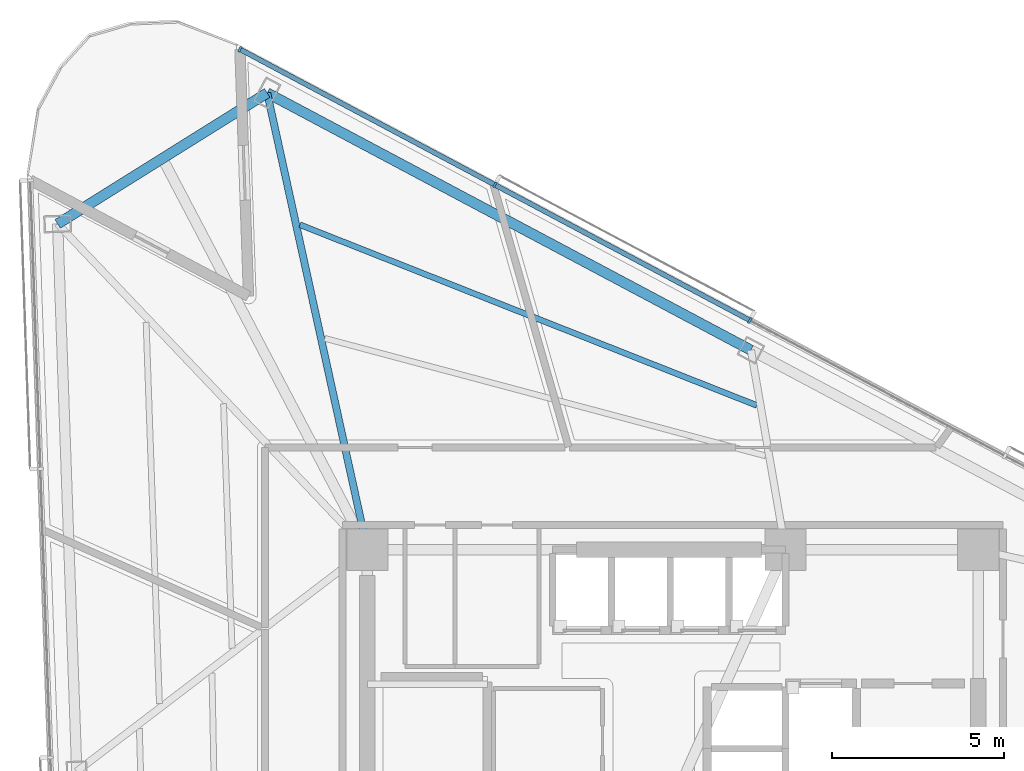
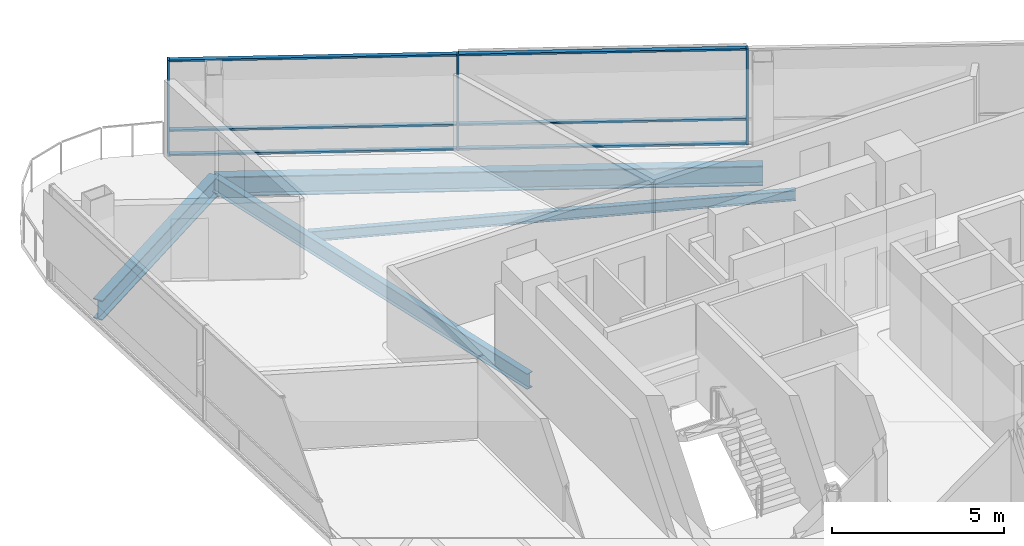
# One storey, part 9 of 21: 9 members, 4 beams, 1 element without a shape of its own.
"""IFC4 building model written with IfcOpenShell, lengths in metres."""

from ifc_helpers import new_model, si_unit, direction, frame, origin, origin_2d, place, context, subcontext, project, spatial, rectangle, i_section, extrude, material, layer, layer_set, material_profile, profile_set, type_object, element, aggregate, save


model = new_model("IFC4")

# Units and contexts
model_context = context("Model", 3, precision=1e-05, world=origin(), true_north=direction((0.0, 1.0)))
body_context = subcontext(model_context, "Body", "Model", "MODEL_VIEW")
ifc_project = project(units=[si_unit("LENGTHUNIT", "METRE"), si_unit("AREAUNIT", "SQUARE_METRE"), si_unit("VOLUMEUNIT", "CUBIC_METRE"), si_unit("PLANEANGLEUNIT", "RADIAN"), si_unit("MASSUNIT", "GRAM", prefix="KILO")], contexts=[model_context])

# Site, building, storey
site_placement = place(None, origin())
site = spatial("IfcSite", under=ifc_project, at=site_placement, CompositionType="ELEMENT")
building_placement = place(site_placement, origin())
building = spatial("IfcBuilding", under=site, at=building_placement, Name="Tharavind Bronze Gate", CompositionType="ELEMENT")
storey_placement = place(building_placement, frame((0.0, 0.0, 142.39990234375)))
storey = spatial("IfcBuildingStorey", under=building, at=storey_placement, Name="L36", CompositionType="ELEMENT", Elevation=142.39990234375)

# Curtain wall, members
ifc_material_1 = material(Name="Anodised Bronze Aluminium", Category="aluminium")
ifc_layer = layer(ifc_material_1, 0.219970703125)
ifc_layer_set = layer_set([ifc_layer], Name="Anodised Bronze Aluminium")
curtain_wall_type = type_object("IfcCurtainWallType", Name="UNITISED CURTAIN WALL MID OFFICE", PredefinedType="USERDEFINED", material=ifc_layer_set)
curtain_wall_placement = place(storey_placement, origin())
curtain_wall = element("IfcCurtainWall", 1, at=curtain_wall_placement, inside=storey, type_object=curtain_wall_type, Name="L36 unitised curtain wall mid office CW-L36-S3", ObjectType="UNITISED CURTAIN WALL", PredefinedType="USERDEFINED")
member_type_1 = type_object("IfcMemberType", Name="CURTAIN WALL BRONZE MULLION 65X180", PredefinedType="MULLION", material=ifc_material_1)
member_1_placement = place(storey_placement, frame((2.245361328125, 14.279052734375, 0.0), z_axis=(0.0, 0.0, 1.0), x_axis=(-0.882947592859, 0.469471562786, 0.0)))
member_1 = element("IfcMember", 2, at=member_1_placement, type_object=member_type_1, Name="CW-L36-S3 mullion 5", PredefinedType="MULLION", context=body_context, shape_type="SweptSolid", body=[
    extrude(rectangle(XDim=0.06494140625, YDim=0.179931640625, at=origin_2d()), origin(), (0.0, 0.0, 1.0), 3.409912109375),
])
member_2_placement = place(storey_placement, frame((-5.184326171875, 18.2294921875, 0.0), z_axis=(0.0, 0.0, 1.0), x_axis=(-0.882947592859, 0.469471562786, 0.0)))
member_2 = element("IfcMember", 3, at=member_2_placement, type_object=member_type_1, Name="CW-L36-S3 mullion 6", PredefinedType="MULLION", context=body_context, shape_type="SweptSolid", body=[
    extrude(rectangle(XDim=0.06494140625, YDim=0.179931640625, at=origin_2d()), origin(), (0.0, 0.0, 1.0), 3.409912109375),
])
member_3_placement = place(storey_placement, frame((-12.614013671875, 22.179931640625, 0.0), z_axis=(0.0, 0.0, 1.0), x_axis=(-0.882947592859, 0.469471562786, 0.0)))
member_3 = element("IfcMember", 4, at=member_3_placement, type_object=member_type_1, Name="CW-L36-S3 mullion 7", PredefinedType="MULLION", context=body_context, shape_type="SweptSolid", body=[
    extrude(rectangle(XDim=0.06494140625, YDim=0.179931640625, at=origin_2d()), origin(), (0.0, 0.0, 1.0), 3.409912109375),
])
member_type_2 = type_object("IfcMemberType", Name="CURTAIN WALL BRONZE TRANSOM 65X140", PredefinedType="USERDEFINED", material=ifc_material_1)
member_4_placement = place(storey_placement, frame((-1.469482421875, 16.25439453125, 0.000244140625), z_axis=(0.0, 0.0, 1.0), x_axis=(-0.882947592859, 0.469471562786, 0.0)))
member_4 = element("IfcMember", 5, at=member_4_placement, type_object=member_type_2, Name="CW-L36-S3 transom TB5", ObjectType="TRANSOM", PredefinedType="USERDEFINED", context=body_context, shape_type="SweptSolid", body=[
    extrude(rectangle(XDim=8.361572265625, YDim=0.139892578125, at=origin_2d()), origin(), (0.0, 0.0, 1.0), 0.06494140625),
])
member_5_placement = place(storey_placement, frame((-1.469482421875, 16.25439453125, 0.86767578125), z_axis=(0.0, 0.0, 1.0), x_axis=(-0.882947592859, 0.469471562786, 0.0)))
member_5 = element("IfcMember", 6, at=member_5_placement, type_object=member_type_2, Name="CW-L36-S3 transom TS5", ObjectType="TRANSOM", PredefinedType="USERDEFINED", context=body_context, shape_type="SweptSolid", body=[
    extrude(rectangle(XDim=8.361572265625, YDim=0.139892578125, at=origin_2d()), origin(), (0.0, 0.0, 1.0), 0.06494140625),
])
member_6_placement = place(storey_placement, frame((-1.469482421875, 16.25439453125, 3.34521484375), z_axis=(0.0, 0.0, 1.0), x_axis=(-0.882947592859, 0.469471562786, 0.0)))
member_6 = element("IfcMember", 7, at=member_6_placement, type_object=member_type_2, Name="CW-L36-S3 transom TT5", ObjectType="TRANSOM", PredefinedType="USERDEFINED", context=body_context, shape_type="SweptSolid", body=[
    extrude(rectangle(XDim=8.361572265625, YDim=0.139892578125, at=origin_2d()), origin(), (0.0, 0.0, 1.0), 0.06494140625),
])
member_7_placement = place(storey_placement, frame((-8.899169921875, 20.20458984375, 0.000244140625), z_axis=(0.0, 0.0, 1.0), x_axis=(-0.882947592859, 0.469471562786, 0.0)))
member_7 = element("IfcMember", 8, at=member_7_placement, type_object=member_type_2, Name="CW-L36-S3 transom TB6", ObjectType="TRANSOM", PredefinedType="USERDEFINED", context=body_context, shape_type="SweptSolid", body=[
    extrude(rectangle(XDim=8.361572265625, YDim=0.139892578125, at=origin_2d()), origin(), (0.0, 0.0, 1.0), 0.06494140625),
])
member_8_placement = place(storey_placement, frame((-8.899169921875, 20.20458984375, 0.86767578125), z_axis=(0.0, 0.0, 1.0), x_axis=(-0.882947592859, 0.469471562786, 0.0)))
member_8 = element("IfcMember", 9, at=member_8_placement, type_object=member_type_2, Name="CW-L36-S3 transom TS6", ObjectType="TRANSOM", PredefinedType="USERDEFINED", context=body_context, shape_type="SweptSolid", body=[
    extrude(rectangle(XDim=8.361572265625, YDim=0.139892578125, at=origin_2d()), origin(), (0.0, 0.0, 1.0), 0.06494140625),
])
member_9_placement = place(storey_placement, frame((-8.899169921875, 20.20458984375, 3.34521484375), z_axis=(0.0, 0.0, 1.0), x_axis=(-0.882947592859, 0.469471562786, 0.0)))
member_9 = element("IfcMember", 10, at=member_9_placement, type_object=member_type_2, Name="CW-L36-S3 transom TT6", ObjectType="TRANSOM", PredefinedType="USERDEFINED", context=body_context, shape_type="SweptSolid", body=[
    extrude(rectangle(XDim=8.361572265625, YDim=0.139892578125, at=origin_2d()), origin(), (0.0, 0.0, 1.0), 0.06494140625),
])
aggregate(curtain_wall, [member_1, member_2, member_3, member_4, member_5, member_6, member_7, member_8, member_9])

# Beams
ifc_material_2 = material(Name="Steel S355", Category="steel")
ifc_material_profile_1 = material_profile(ifc_material_2, i_section(OverallWidth=0.2099609375, OverallDepth=0.550048828125, WebThickness=0.010986328125, FlangeThickness=0.01708984375, at=origin_2d()), Name="IPE550")
ifc_profile_set_1 = profile_set([ifc_material_profile_1], Name="Steel S355")
beam_type_1 = type_object("IfcBeamType", Name="PRIMARY GIRDER IPE550", PredefinedType="USERDEFINED", material=ifc_profile_set_1)
beam_1_placement = place(storey_placement, frame((-11.819091796875, 20.90771484375, -0.46484375), z_axis=(0.21426760531, -0.976774996258, 0.0), x_axis=(0.976774996258, 0.21426760531, 0.0)))
element("IfcBeam", 11, at=beam_1_placement, inside=storey, type_object=beam_type_1, Name="L36 primary girder ipe550 BM-L36-RAD12", ObjectType="GIRDER", PredefinedType="USERDEFINED", context=body_context, shape_type="SweptSolid", body=[
    extrude(i_section(OverallWidth=0.2099609375, OverallDepth=0.550048828125, WebThickness=0.010986328125, FlangeThickness=0.01708984375, at=origin_2d()), origin(), (0.0, 0.0, 1.0), 13.6240234375),
])
ifc_material_profile_2 = material_profile(ifc_material_2, i_section(OverallWidth=0.300048828125, OverallDepth=0.699951171875, WebThickness=0.01708984375, FlangeThickness=0.031982421875, at=origin_2d()), Name="HE700B")
ifc_profile_set_2 = profile_set([ifc_material_profile_2], Name="Steel S355")
beam_type_2 = type_object("IfcBeamType", Name="RING GIRDER HE700B", PredefinedType="USERDEFINED", material=ifc_profile_set_2)
beam_2_placement = place(storey_placement, frame((2.275634765625, 13.41357421875, -0.539794921875), z_axis=(-0.882951706672, 0.469463825747, 0.0), x_axis=(-0.469463825747, -0.882951706672, 0.0)))
element("IfcBeam", 12, at=beam_2_placement, inside=storey, type_object=beam_type_2, Name="L36 ring girder he700b BM-L36-PRG11", ObjectType="GIRDER", PredefinedType="USERDEFINED", context=body_context, shape_type="SweptSolid", body=[
    extrude(i_section(OverallWidth=0.300048828125, OverallDepth=0.699951171875, WebThickness=0.01708984375, FlangeThickness=0.031982421875, at=origin_2d()), origin(), (0.0, 0.0, 1.0), 15.963134765625),
])
beam_3_placement = place(storey_placement, frame((-11.819091796875, 20.90771484375, -0.539794921875), z_axis=(-0.848038306973, -0.52993492988, 0.0), x_axis=(0.52993492988, -0.848038306973, 0.0)))
element("IfcBeam", 13, at=beam_3_placement, inside=storey, type_object=beam_type_2, Name="L36 ring girder he700b BM-L36-PRG12", ObjectType="GIRDER", PredefinedType="USERDEFINED", context=body_context, shape_type="SweptSolid", body=[
    extrude(i_section(OverallWidth=0.300048828125, OverallDepth=0.699951171875, WebThickness=0.01708984375, FlangeThickness=0.031982421875, at=origin_2d()), origin(), (0.0, 0.0, 1.0), 7.19970703125),
])
ifc_material_profile_3 = material_profile(ifc_material_2, i_section(OverallWidth=0.169921875, OverallDepth=0.360107421875, WebThickness=0.008056640625, FlangeThickness=0.0126953125, at=origin_2d()), Name="IPE360")
ifc_profile_set_3 = profile_set([ifc_material_profile_3], Name="Steel S355")
beam_type_3 = type_object("IfcBeamType", Name="SECONDARY FLOOR JOIST IPE360", PredefinedType="JOIST", material=ifc_profile_set_3)
beam_4_placement = place(storey_placement, frame((2.44384765625, 11.803466796875, -0.369873046875), z_axis=(-0.929918939499, 0.367764552344, 0.0), x_axis=(-0.367764552344, -0.929918939499, 0.0)))
element("IfcBeam", 14, at=beam_4_placement, inside=storey, type_object=beam_type_3, Name="L36 secondary floor joist ipe360 BM-L36-JSTB11", PredefinedType="JOIST", context=body_context, shape_type="SweptSolid", body=[
    extrude(i_section(OverallWidth=0.169921875, OverallDepth=0.360107421875, WebThickness=0.008056640625, FlangeThickness=0.0126953125, at=origin_2d()), origin(), (0.0, 0.0, 1.0), 14.3125),
])

save(model, "model.ifc")
